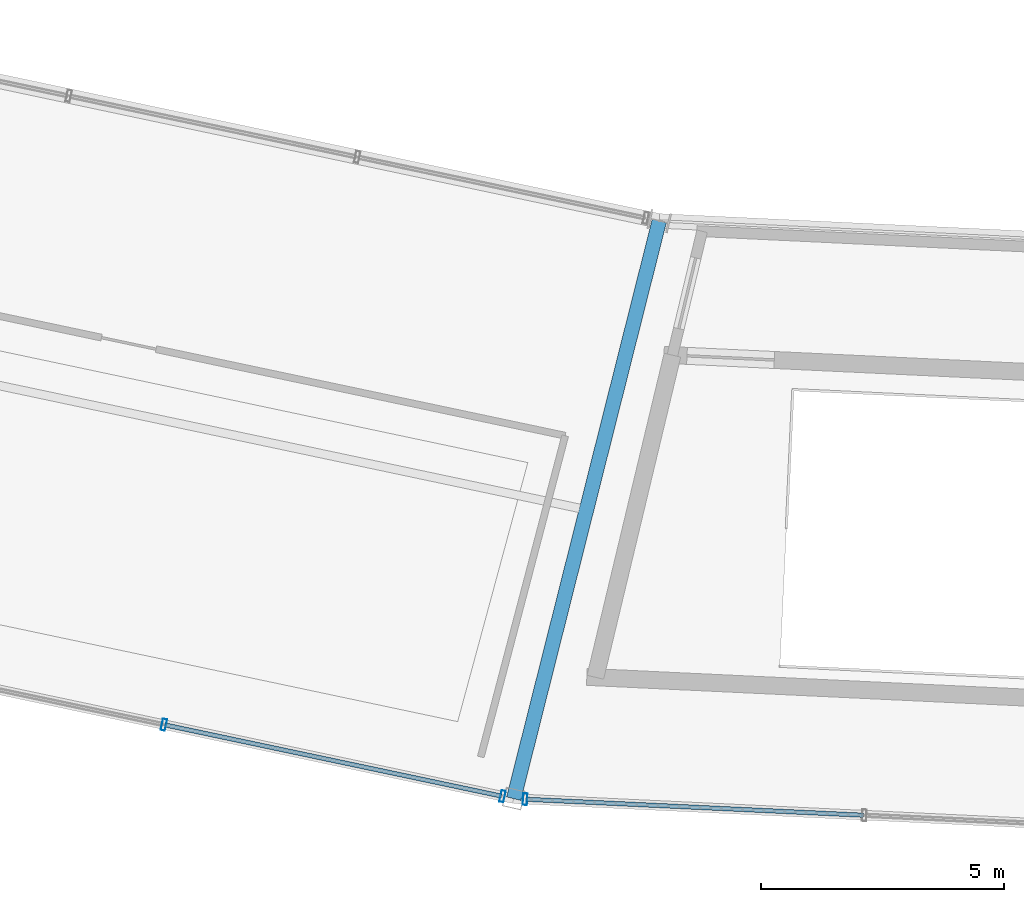
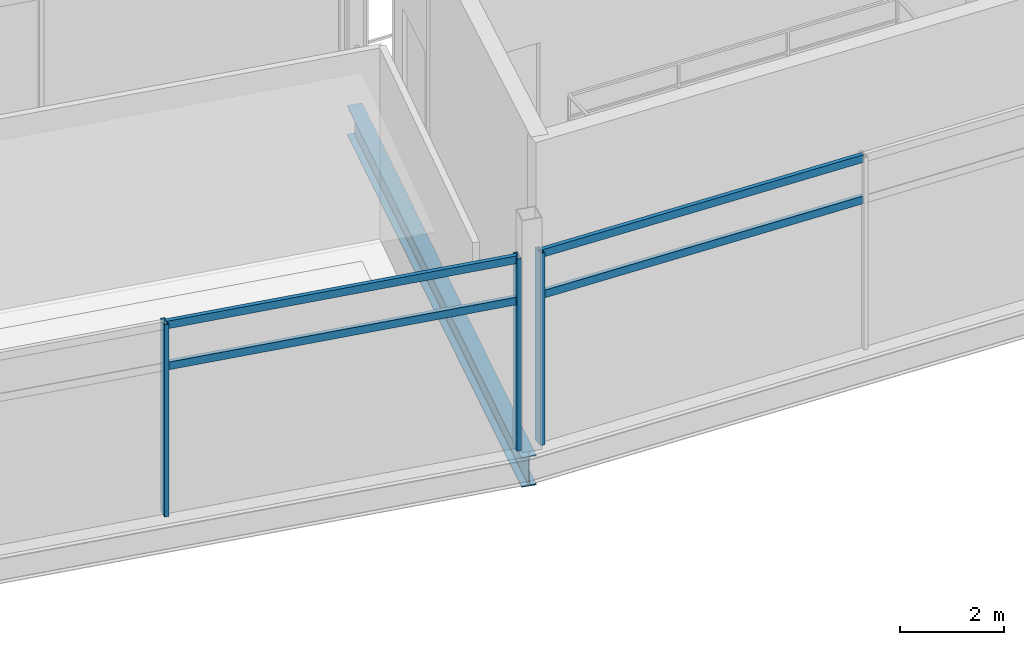
# One storey, part 28 of 86: 7 members, 1 beam, 2 elements without a shape of their own.
"""IFC4 building model written with IfcOpenShell, lengths in metres."""

import ifcopenshell
import ifcopenshell.guid

model = None  # the IFC model being written
_history = None  # IfcOwnerHistory: only IFC2X3 demands one
_inside = {}  # id of a spatial element -> (the spatial element, [elements in it])
_under = {}  # id of a project, library or spatial element -> (it, [spatial elements below it])
_declared = {}  # id of a project -> (the project, [libraries it declares])
_typed = {}  # id of a type object -> (the type object, [elements of that type])
_made_of = {}  # id of a material, layer set ... -> (it, [elements and type objects made of it])


def new_model(schema):
    """Start an empty IFC model of exactly this schema.

    Asked for "IFC4X3", IfcOpenShell would pick the latest addendum, in which some entities
    have other attributes; the version numbers below select the first issue.
    IFC2X3 requires an IfcOwnerHistory on every rooted entity: one is made here for all.
    """
    global model, _history
    if schema == "IFC4X3":
        model = ifcopenshell.file(schema_version=(4, 3, 0, 0))
    else:
        model = ifcopenshell.file(schema=schema)
    _inside.clear()
    _under.clear()
    _declared.clear()
    _typed.clear()
    _made_of.clear()
    _history = None
    if model.schema == "IFC2X3":
        org = make("IfcOrganization", Name="unknown")
        user = make(
            "IfcPersonAndOrganization",
            ThePerson=make("IfcPerson", FamilyName="unknown"),
            TheOrganization=org,
        )
        app = make(
            "IfcApplication",
            ApplicationDeveloper=org,
            Version="unknown",
            ApplicationFullName="unknown",
            ApplicationIdentifier="unknown",
        )
        _history = make(
            "IfcOwnerHistory",
            OwningUser=user,
            OwningApplication=app,
            ChangeAction="ADDED",
            CreationDate=0,
        )
    return model


def make(cls, **values):
    """One entity of the class cls with the attributes given. An attribute that is None is left unset."""
    return model.create_entity(
        cls, **{name: value for name, value in values.items() if value is not None}
    )


def rooted(cls, **values):
    """An entity with a GlobalId (a new one), such as an element, a storey or a relation."""
    return make(cls, GlobalId=ifcopenshell.guid.new(), OwnerHistory=_history, **values)


def si_unit(unit_type, name, prefix=None):
    """IfcSIUnit, for example si_unit("LENGTHUNIT", "METRE", prefix="MILLI")."""
    return make("IfcSIUnit", UnitType=unit_type, Prefix=prefix, Name=name)


def assignment(units):
    """IfcUnitAssignment: the units of a project."""
    return None if units is None else make("IfcUnitAssignment", Units=units)


def point(xyz):
    """IfcCartesianPoint."""
    return None if xyz is None else make("IfcCartesianPoint", Coordinates=xyz)


def direction(xyz):
    """IfcDirection."""
    return None if xyz is None else make("IfcDirection", DirectionRatios=xyz)


def frame(location, z_axis=None, x_axis=None):
    """IfcAxis2Placement3D, a coordinate frame: its origin and axes. An axis left out is left unset."""
    return make(
        "IfcAxis2Placement3D",
        Location=point(location),
        Axis=direction(z_axis),
        RefDirection=direction(x_axis),
    )


def frame_2d(location, x_axis=None):
    """IfcAxis2Placement2D, a coordinate frame in the plane: its origin and x axis."""
    return make(
        "IfcAxis2Placement2D", Location=point(location), RefDirection=direction(x_axis)
    )


def origin():
    """The frame at (0, 0, 0) with its axes left unset."""
    return frame((0.0, 0.0, 0.0))


def origin_2d():
    """The frame at (0, 0) in the plane with its x axis left unset."""
    return frame_2d((0.0, 0.0))


def place(relative_to, where):
    """IfcLocalPlacement: puts the frame where relative to a parent placement (None: the world)."""
    return make(
        "IfcLocalPlacement", PlacementRelTo=relative_to, RelativePlacement=where
    )


def context(
    kind, dimensions, precision=None, world=None, true_north=None, identifier=None
):
    """IfcGeometricRepresentationContext, for example the 3D "Model" context."""
    return make(
        "IfcGeometricRepresentationContext",
        ContextIdentifier=identifier,
        ContextType=kind,
        CoordinateSpaceDimension=dimensions,
        Precision=precision,
        WorldCoordinateSystem=world,
        TrueNorth=true_north,
    )


def subcontext(parent, identifier, kind, view, scale=None):
    """IfcGeometricRepresentationSubContext, for example "Body" below "Model"."""
    return make(
        "IfcGeometricRepresentationSubContext",
        ContextIdentifier=identifier,
        ContextType=kind,
        ParentContext=parent,
        TargetScale=scale,
        TargetView=view,
    )


def project(units=None, contexts=None):
    """IfcProject with its units and contexts."""
    return rooted(
        "IfcProject",
        Name="project",
        RepresentationContexts=contexts,
        UnitsInContext=assignment(units),
    )


def spatial(cls, under=None, at=None, **own):
    """A site, building, storey or space (cls), placed at a placement, below another one or the project."""
    s = rooted(cls, ObjectPlacement=at, **own)
    if under is not None:
        _under.setdefault(under.id(), (under, []))[1].append(s)
    return s


def profile(cls, at=None, kind="AREA", **sizes):
    """A parametric profile (cls). Its sizes go by their IFC names, for example OverallWidth=200.0."""
    return make(cls, ProfileType=kind, Position=at, **sizes)


def hollow_rectangle(**sizes):
    """IfcRectangleHollowProfileDef."""
    return profile("IfcRectangleHollowProfileDef", **sizes)


def i_section(**sizes):
    """IfcIShapeProfileDef."""
    return profile("IfcIShapeProfileDef", **sizes)


def extrude(swept, where, along, depth):
    """IfcExtrudedAreaSolid: the profile swept, set in the frame where, extruded along a direction by depth."""
    return make(
        "IfcExtrudedAreaSolid",
        SweptArea=swept,
        Position=where,
        ExtrudedDirection=direction(along),
        Depth=depth,
    )


def shape(context_of_items, identifier, shape_type, items):
    """IfcShapeRepresentation: the items that make up one representation, for example the "Body"."""
    return make(
        "IfcShapeRepresentation",
        ContextOfItems=context_of_items,
        RepresentationIdentifier=identifier,
        RepresentationType=shape_type,
        Items=items,
    )


def material(Name=None, Category=None):
    """IfcMaterial."""
    return make("IfcMaterial", Name=Name, Category=Category)


def layer(
    of_material, thickness, ventilated=None, Name=None, Category=None, Priority=None
):
    """IfcMaterialLayer: one layer of a wall or slab, of a material (None: an air gap)."""
    return make(
        "IfcMaterialLayer",
        Material=of_material,
        LayerThickness=thickness,
        IsVentilated=ventilated,
        Name=Name,
        Category=Category,
        Priority=Priority,
    )


def layer_set(layers, Name=None):
    """IfcMaterialLayerSet."""
    return make("IfcMaterialLayerSet", MaterialLayers=layers, LayerSetName=Name)


def material_profile(
    of_material, cross_section, Name=None, Category=None, Priority=None
):
    """IfcMaterialProfile: a cross section and its material."""
    return make(
        "IfcMaterialProfile",
        Name=Name,
        Material=of_material,
        Profile=cross_section,
        Priority=Priority,
        Category=Category,
    )


def profile_set(profiles, Name=None, composite=None):
    """IfcMaterialProfileSet."""
    return make(
        "IfcMaterialProfileSet",
        Name=Name,
        MaterialProfiles=profiles,
        CompositeProfile=composite,
    )


def made_of(thing, what):
    """Note that an element or type object is made of a material, layer set ...; save() writes the relation."""
    if what is not None:
        _made_of.setdefault(what.id(), (what, []))[1].append(thing)
    return thing


def type_object(cls, material=None, **own):
    """A type object (cls), such as IfcWallType, which elements share."""
    return made_of(rooted(cls, **own), material)


def element(
    cls,
    number,
    at=None,
    inside=None,
    cuts=None,
    type_object=None,
    material=None,
    context=None,
    identifier="Body",
    shape_type=None,
    held_by="IfcProductDefinitionShape",
    body=None,
    shapes=None,
    **own,
):
    """One element of the class cls, such as IfcWall. Its Tag is "e" and its number.

    at: its placement. inside: the storey or other place that contains it. cuts: it is an
    opening in that element (IfcRelVoidsElement). A single representation is given by context,
    identifier, shape_type and body (its items); several are given by shapes. held_by: the class
    of the entity that holds the representations. save() writes the other relations.
    """
    e = rooted(cls, Tag="e%d" % number, ObjectPlacement=at, **own)
    if body is not None:
        shapes = [shape(context, identifier, shape_type, body)]
    if shapes is not None:
        e.Representation = make(held_by, Representations=shapes)
    if inside is not None:
        _inside.setdefault(inside.id(), (inside, []))[1].append(e)
    if cuts is not None:
        rooted(
            "IfcRelVoidsElement", RelatingBuildingElement=cuts, RelatedOpeningElement=e
        )
    if type_object is not None:
        _typed.setdefault(type_object.id(), (type_object, []))[1].append(e)
    return made_of(e, material)


def aggregate(whole, parts):
    """IfcRelAggregates: a whole, such as a stair, and the parts it consists of."""
    return rooted("IfcRelAggregates", RelatingObject=whole, RelatedObjects=parts)


def save(model, path):
    """Write the relations noted so far, then the file.

    IfcRelAggregates (storeys below a building ...), IfcRelContainedInSpatialStructure (elements
    in a storey), IfcRelDefinesByType, IfcRelAssociatesMaterial and IfcRelDeclares: one each for
    every whole, place, type object, material and project.
    """
    for whole, parts in _under.values():
        aggregate(whole, parts)
    for where, things in _inside.values():
        rooted(
            "IfcRelContainedInSpatialStructure",
            RelatedElements=things,
            RelatingStructure=where,
        )
    for kind, things in _typed.values():
        rooted("IfcRelDefinesByType", RelatedObjects=things, RelatingType=kind)
    for what, things in _made_of.values():
        rooted("IfcRelAssociatesMaterial", RelatedObjects=things, RelatingMaterial=what)
    for by, libraries in _declared.values():
        rooted("IfcRelDeclares", RelatingContext=by, RelatedDefinitions=libraries)
    model.write(path)


model = new_model("IFC4")

# Units and contexts
model_context = context("Model", 3, precision=1e-05, world=origin(), true_north=direction((0.0, 1.0)))
body_context = subcontext(model_context, "Body", "Model", "MODEL_VIEW")
ifc_project = project(units=[si_unit("LENGTHUNIT", "METRE"), si_unit("AREAUNIT", "SQUARE_METRE"), si_unit("VOLUMEUNIT", "CUBIC_METRE"), si_unit("PLANEANGLEUNIT", "RADIAN"), si_unit("MASSUNIT", "GRAM", prefix="KILO")], contexts=[model_context])

# Site, building, storey
site_placement = place(None, origin())
site = spatial("IfcSite", under=ifc_project, at=site_placement, CompositionType="ELEMENT")
building_placement = place(site_placement, origin())
building = spatial("IfcBuilding", under=site, at=building_placement, Name="Kazemori Nagisa Stadium", CompositionType="ELEMENT")
storey_placement = place(building_placement, frame((0.0, 0.0, 31.280029296875)))
storey = spatial("IfcBuildingStorey", under=building, at=storey_placement, Name="L06", CompositionType="ELEMENT", Elevation=31.280029296875)

# Beam
ifc_material_1 = material(Name="Steel SN490B", Category="steel")
ifc_material_profile_1 = material_profile(ifc_material_1, i_section(OverallWidth=0.300048828125, OverallDepth=0.699951171875, WebThickness=0.012939453125, FlangeThickness=0.02392578125, FilletRadius=0.01806640625, at=origin_2d()), Name="H-700x300x13x24")
ifc_profile_set_1 = profile_set([ifc_material_profile_1], Name="Steel SN490B")
beam_type = type_object("IfcBeamType", Name="Beam_BG-H700", PredefinedType="BEAM", material=ifc_profile_set_1)
beam_placement = place(storey_placement, frame((104.572265625, 28.911376953125, -0.610107421875), z_axis=(-0.244487324834, -0.969652488263, 0.0), x_axis=(0.969652488263, -0.244487324834, 0.0)))
element("IfcBeam", 1, at=beam_placement, inside=storey, type_object=beam_type, Name="Radial girder BG-H700 L06 R2-R3-21", PredefinedType="BEAM", context=body_context, shape_type="SweptSolid", body=[
    extrude(i_section(OverallWidth=0.300048828125, OverallDepth=0.699951171875, WebThickness=0.012939453125, FlangeThickness=0.02392578125, FilletRadius=0.01806640625, at=origin_2d()), origin(), (0.0, 0.0, 1.0), 12.2705078125),
])

# Curtain wall, members
ifc_material_2 = material(Name="Anodised aluminium 6063-T5", Category="aluminium")
ifc_layer_1 = layer(ifc_material_2, 0.239990234375, Name="Anodised aluminium 6063-T5", Category="aluminium")
ifc_layer_set_1 = layer_set([ifc_layer_1], Name="Anodised aluminium 6063-T5")
curtain_wall_type_1 = type_object("IfcCurtainWallType", Name="CW_L06R3_107", PredefinedType="USERDEFINED", material=ifc_layer_set_1)
curtain_wall_1_placement = place(storey_placement, origin())
curtain_wall_1 = element("IfcCurtainWall", 2, at=curtain_wall_1_placement, inside=storey, type_object=curtain_wall_type_1, Name="Unitised curtain wall CW-L06R3-107 L06", ObjectType="UNITISED CURTAIN WALL", PredefinedType="USERDEFINED")
ifc_material_3 = material(Name="Aluminium 6063-T5 anodised", Category="aluminium")
ifc_material_profile_2 = material_profile(ifc_material_3, hollow_rectangle(XDim=0.090087890625, YDim=0.239990234375, WallThickness=0.0048828125, at=origin_2d()), Name="ALU-MULL-90x240x5")
ifc_profile_set_2 = profile_set([ifc_material_profile_2], Name="Aluminium 6063-T5 anodised")
member_type_1 = type_object("IfcMemberType", Name="Mullion_M03", PredefinedType="MULLION", material=ifc_profile_set_2)
member_1_placement = place(storey_placement, frame((94.3701171875, 18.536865234375, 0.0), z_axis=(0.0, 0.0, 1.0), x_axis=(0.978344955407, -0.206981033502, 0.0)))
member_1 = element("IfcMember", 3, at=member_1_placement, type_object=member_type_1, Name="Curtain wall mullion CW-L06R3-107-M3", PredefinedType="MULLION", context=body_context, shape_type="SweptSolid", body=[
    extrude(hollow_rectangle(XDim=0.090087890625, YDim=0.239990234375, WallThickness=0.0048828125, at=origin_2d()), origin(), (0.0, 0.0, 1.0), 4.510009765625),
])
member_2_placement = place(storey_placement, frame((101.342529296875, 17.061767578125, 0.0), z_axis=(0.0, 0.0, 1.0), x_axis=(0.978344955407, -0.206981033502, 0.0)))
member_2 = element("IfcMember", 4, at=member_2_placement, type_object=member_type_1, Name="Curtain wall mullion CW-L06R3-107-M4", PredefinedType="MULLION", context=body_context, shape_type="SweptSolid", body=[
    extrude(hollow_rectangle(XDim=0.090087890625, YDim=0.239990234375, WallThickness=0.0048828125, at=origin_2d()), origin(), (0.0, 0.0, 1.0), 4.510009765625),
])

# Curtain wall, member
ifc_layer_2 = layer(ifc_material_2, 0.239990234375, Name="Anodised aluminium 6063-T5", Category="aluminium")
ifc_layer_set_2 = layer_set([ifc_layer_2], Name="Anodised aluminium 6063-T5")
curtain_wall_type_2 = type_object("IfcCurtainWallType", Name="CW_L06R3_105", PredefinedType="USERDEFINED", material=ifc_layer_set_2)
curtain_wall_2_placement = place(storey_placement, origin())
curtain_wall_2 = element("IfcCurtainWall", 5, at=curtain_wall_2_placement, inside=storey, type_object=curtain_wall_type_2, Name="Unitised curtain wall CW-L06R3-105 L06", ObjectType="UNITISED CURTAIN WALL", PredefinedType="USERDEFINED")
member_3_placement = place(storey_placement, frame((101.80712890625, 17.001953125, 0.0), z_axis=(0.0, 0.0, 1.0), x_axis=(0.998884022476, -0.047230388971, 0.0)))
member_3 = element("IfcMember", 6, at=member_3_placement, type_object=member_type_1, Name="Curtain wall mullion CW-L06R3-105-M1", PredefinedType="MULLION", context=body_context, shape_type="SweptSolid", body=[
    extrude(hollow_rectangle(XDim=0.090087890625, YDim=0.239990234375, WallThickness=0.0048828125, at=origin_2d()), origin(), (0.0, 0.0, 1.0), 4.510009765625),
])

# Member
ifc_material_profile_3 = material_profile(ifc_material_3, hollow_rectangle(XDim=0.090087890625, YDim=0.179931640625, WallThickness=0.0048828125, at=origin_2d()), Name="ALU-TRAN-90x180x5")
ifc_profile_set_3 = profile_set([ifc_material_profile_3], Name="Aluminium 6063-T5 anodised")
member_type_2 = type_object("IfcMemberType", Name="Transom_T03", PredefinedType="USERDEFINED", material=ifc_profile_set_3)
member_4_placement = place(storey_placement, frame((94.3896484375, 18.53271484375, 3.47265625), z_axis=(0.978344605267, -0.206982688515, 0.0), x_axis=(0.206982688515, 0.978344605267, 0.0)))
member_4 = element("IfcMember", 7, at=member_4_placement, type_object=member_type_2, Name="Curtain wall transom CW-L06R3-107-T3-mid", ObjectType="TRANSOM", PredefinedType="USERDEFINED", context=body_context, shape_type="SweptSolid", body=[
    extrude(hollow_rectangle(XDim=0.090087890625, YDim=0.179931640625, WallThickness=0.0048828125, at=origin_2d()), origin(), (0.0, 0.0, 1.0), 7.086669921875),
])

member_5_placement = place(storey_placement, frame((94.3896484375, 18.53271484375, 4.43994140625), z_axis=(0.978344605267, -0.206982688515, 0.0), x_axis=(0.206982688515, 0.978344605267, 0.0)))
member_5 = element("IfcMember", 8, at=member_5_placement, type_object=member_type_2, Name="Curtain wall transom CW-L06R3-107-T3-head", ObjectType="TRANSOM", PredefinedType="USERDEFINED", context=body_context, shape_type="SweptSolid", body=[
    extrude(hollow_rectangle(XDim=0.090087890625, YDim=0.179931640625, WallThickness=0.0048828125, at=origin_2d()), origin(), (0.0, 0.0, 1.0), 7.086669921875),
])

aggregate(curtain_wall_1, [member_1, member_2, member_4, member_5])

member_6_placement = place(storey_placement, frame((101.8271484375, 17.001220703125, 3.47265625), z_axis=(0.99888278495, -0.047256554376, 0.0), x_axis=(0.047256554376, 0.99888278495, 0.0)))
member_6 = element("IfcMember", 9, at=member_6_placement, type_object=member_type_2, Name="Curtain wall transom CW-L06R3-105-T1-mid", ObjectType="TRANSOM", PredefinedType="USERDEFINED", context=body_context, shape_type="SweptSolid", body=[
    extrude(hollow_rectangle(XDim=0.090087890625, YDim=0.179931640625, WallThickness=0.0048828125, at=origin_2d()), origin(), (0.0, 0.0, 1.0), 6.953857421875),
])

member_7_placement = place(storey_placement, frame((101.8271484375, 17.001220703125, 4.43994140625), z_axis=(0.99888278495, -0.047256554376, 0.0), x_axis=(0.047256554376, 0.99888278495, 0.0)))
member_7 = element("IfcMember", 10, at=member_7_placement, type_object=member_type_2, Name="Curtain wall transom CW-L06R3-105-T1-head", ObjectType="TRANSOM", PredefinedType="USERDEFINED", context=body_context, shape_type="SweptSolid", body=[
    extrude(hollow_rectangle(XDim=0.090087890625, YDim=0.179931640625, WallThickness=0.0048828125, at=origin_2d()), origin(), (0.0, 0.0, 1.0), 6.953857421875),
])

aggregate(curtain_wall_2, [member_3, member_6, member_7])

save(model, "model.ifc")
